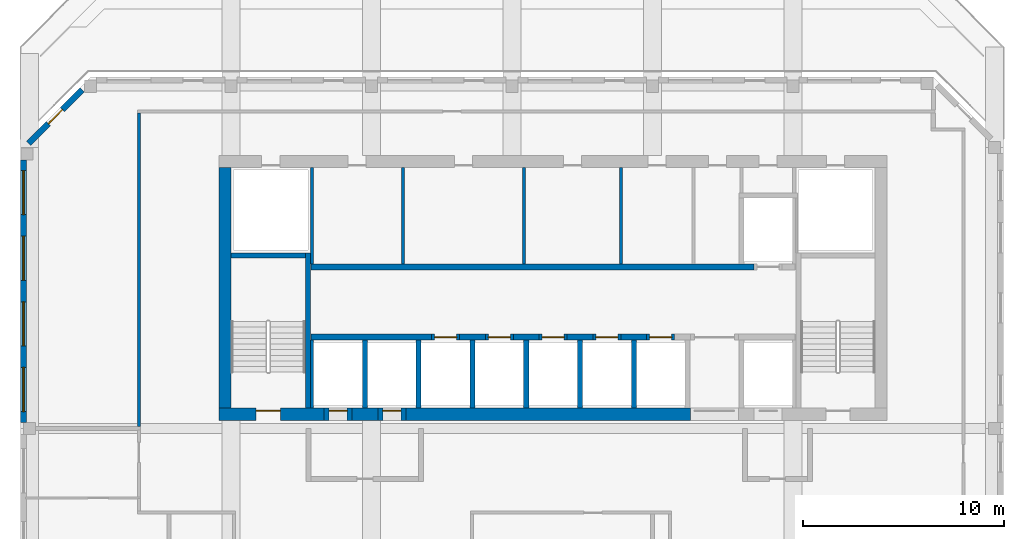
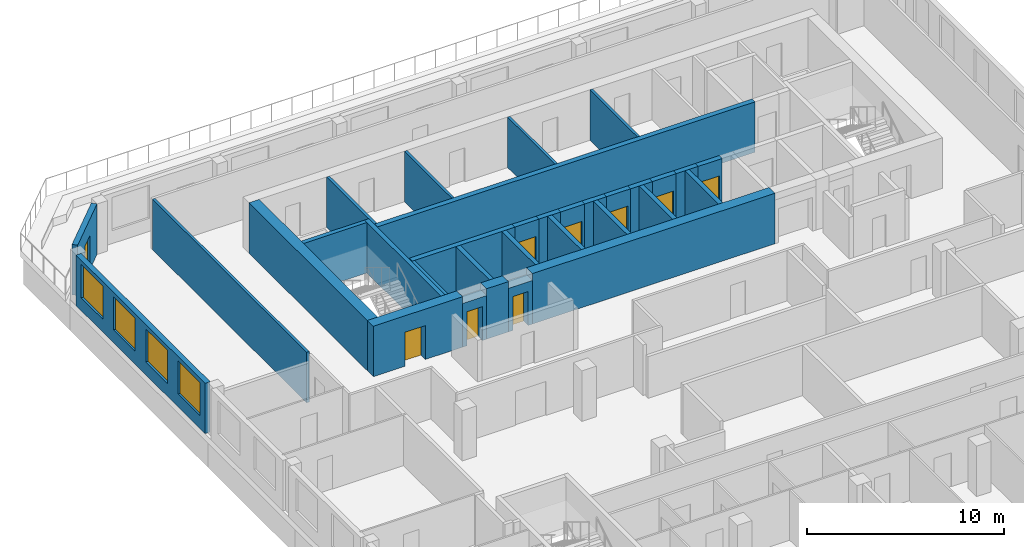
# One storey, part 6 of 12: 33 walls, 9 doors, 4 windows, 13 openings.
"""IFC4 building model written with IfcOpenShell, lengths in metres."""

from ifc_helpers import new_model, si_unit, direction, frame, frame_2d, origin, place, context, subcontext, project, spatial, rectangle, extrude, source, transform, mapped, material, layer, layer_set, type_object, element, fill, save


model = new_model("IFC4")

# Units and contexts
model_context = context("Model", 3, precision=1e-05, world=origin(), true_north=direction((0.0, 1.0)))
body_context = subcontext(model_context, "Body", "Model", "MODEL_VIEW")
ifc_project = project(units=[si_unit("LENGTHUNIT", "METRE"), si_unit("AREAUNIT", "SQUARE_METRE"), si_unit("VOLUMEUNIT", "CUBIC_METRE"), si_unit("PLANEANGLEUNIT", "RADIAN"), si_unit("MASSUNIT", "GRAM", prefix="KILO")], contexts=[model_context])

# Site, building, storey
site_placement = place(None, origin())
site = spatial("IfcSite", under=ifc_project, at=site_placement, CompositionType="ELEMENT")
building_placement = place(site_placement, origin())
building = spatial("IfcBuilding", under=site, at=building_placement, Name="Kilnfold Tower and Market Hall", CompositionType="ELEMENT")
storey_placement = place(building_placement, frame((0.0, 0.0, 295.0)))
storey = spatial("IfcBuildingStorey", under=building, at=storey_placement, Name="L73", CompositionType="ELEMENT", Elevation=295.0)

# Walls
ifc_material_1 = material(Name="Gypsum board on steel studs", Category="steel")
ifc_layer_1 = layer(ifc_material_1, 0.14990234375)
ifc_layer_set_1 = layer_set([ifc_layer_1], Name="Gypsum board on steel studs")
wall_type_1 = type_object("IfcWallType", Name="WALL CORRIDOR 150", PredefinedType="PARTITIONING", material=ifc_layer_set_1)
wall_1_placement = place(storey_placement, frame((-19.60009765625, 8.090087890625, 0.0), z_axis=(0.0, 0.0, 1.0), x_axis=(0.0, 1.0, 0.0)))
element("IfcWall", 1, at=wall_1_placement, inside=storey, type_object=wall_type_1, Name="Partition LY45.7", PredefinedType="PARTITIONING", context=body_context, shape_type="SweptSolid", body=[
    extrude(rectangle(XDim=15.635009765625, YDim=0.14990234375, at=frame_2d((7.8173828125, 0.0))), origin(), (0.0, 0.0, 1.0), 3.1201171875),
])
ifc_material_2 = material(Name="Concrete C50", Category="concrete")
ifc_layer_2 = layer(ifc_material_2, 0.25)
ifc_layer_set_2 = layer_set([ifc_layer_2], Name="Concrete C50")
wall_type_2 = type_object("IfcWallType", Name="CORE WALL 250 C50", PredefinedType="SHEAR", material=ifc_layer_set_2)
shared_shape_1 = source(origin(), body_context, "Body", "SweptSolid", [
    extrude(rectangle(XDim=7.75, YDim=0.25, at=frame_2d((3.875, 0.0))), origin(), (0.0, 0.0, 1.0), 3.1201171875),
])
wall_2_placement = place(storey_placement, frame((-11.175048828125, 9.0, 0.0), z_axis=(0.0, 0.0, 1.0), x_axis=(0.0, 1.0, 0.0)))
element("IfcWall", 2, at=wall_2_placement, inside=storey, type_object=wall_type_2, Name="Stair enclosure ST1", PredefinedType="SHEAR", context=body_context, shape_type="MappedRepresentation", body=[
    mapped(shared_shape_1, transform((0.0, 0.0, 0.0))),
])
shared_shape_2 = source(origin(), body_context, "Body", "SweptSolid", [
    extrude(rectangle(XDim=3.699951171875, YDim=0.25, at=frame_2d((1.85009765625, 0.0))), origin(), (0.0, 0.0, 1.0), 3.1201171875),
])
wall_3_placement = place(storey_placement, frame((-15.0, 16.625, 0.0), z_axis=(0.0, 0.0, 1.0), x_axis=(1.0, 0.0, 0.0)))
element("IfcWall", 3, at=wall_3_placement, inside=storey, type_object=wall_type_2, Name="Stair enclosure ST1", PredefinedType="SHEAR", context=body_context, shape_type="MappedRepresentation", body=[
    mapped(shared_shape_2, transform((0.0, 0.0, 0.0))),
])
ifc_material_3 = material(Name="Concrete C50", Category="concrete")
ifc_layer_3 = layer(ifc_material_3, 0.300048828125)
ifc_layer_set_3 = layer_set([ifc_layer_3], Name="Concrete C50")
wall_type_3 = type_object("IfcWallType", Name="CORE WALL 300 C50", PredefinedType="SHEAR", material=ifc_layer_set_3)
shared_shape_3 = source(origin(), body_context, "Body", "SweptSolid", [
    extrude(rectangle(XDim=6.0, YDim=0.300048828125, at=frame_2d((3.0, 0.0))), origin(), (0.0, 0.0, 1.0), 3.1201171875),
])
wall_4_placement = place(storey_placement, frame((-11.010009765625, 12.550048828125, 0.0), z_axis=(0.0, 0.0, 1.0), x_axis=(1.0, 0.0, 0.0)))
element("IfcWall", 4, at=wall_4_placement, inside=storey, type_object=wall_type_3, Name="Core spine wall", PredefinedType="SHEAR", context=body_context, shape_type="MappedRepresentation", body=[
    mapped(shared_shape_3, transform((0.0, 0.0, 0.0))),
])
shared_shape_4 = source(origin(), body_context, "Body", "SweptSolid", [
    extrude(rectangle(XDim=1.280029296875, YDim=0.300048828125, at=frame_2d((0.64013671875, 0.0))), origin(), (0.0, 0.0, 1.0), 3.1201171875),
])
for number, where, z_axis, x_axis, name in (
    (5, (-3.610107421875, 12.550048828125, 0.0), (0.0, 0.0, 1.0), (1.0, 0.0, 0.0), "Core spine wall"),
    (6, (-0.929931640625, 12.550048828125, 0.0), (0.0, 0.0, 1.0), (1.0, 0.0, 0.0), "Core spine wall"),
    (7, (1.75, 12.550048828125, 0.0), (0.0, 0.0, 1.0), (1.0, 0.0, 0.0), "Core spine wall"),
    (8, (4.429931640625, 12.550048828125, 0.0), (0.0, 0.0, 1.0), (1.0, 0.0, 0.0), "Core spine wall"),
):
    element("IfcWall", number, at=place(storey_placement, frame(where, z_axis=z_axis, x_axis=x_axis)), inside=storey, type_object=wall_type_3, Name=name, PredefinedType="SHEAR", context=body_context, shape_type="MappedRepresentation", body=[
        mapped(shared_shape_4, transform((0.0, 0.0, 0.0))),
    ])
shared_shape_5 = source(origin(), body_context, "Body", "SweptSolid", [
    extrude(rectangle(XDim=22.080078125, YDim=0.300048828125, at=frame_2d((11.0400390625, 0.0))), origin(), (0.0, 0.0, 1.0), 3.1201171875),
])
wall_5_placement = place(storey_placement, frame((-11.010009765625, 16.050048828125, 0.0), z_axis=(0.0, 0.0, 1.0), x_axis=(1.0, 0.0, 0.0)))
element("IfcWall", 9, at=wall_5_placement, inside=storey, type_object=wall_type_3, Name="Core spine wall", PredefinedType="SHEAR", context=body_context, shape_type="MappedRepresentation", body=[
    mapped(shared_shape_5, transform((0.0, 0.0, 0.0))),
])

# Wall, opening, door
ifc_material_4 = material(Name="Concrete C50", Category="concrete")
ifc_layer_4 = layer(ifc_material_4, 0.60009765625)
ifc_layer_set_4 = layer_set([ifc_layer_4], Name="Concrete C50")
wall_type_4 = type_object("IfcWallType", Name="CORE WALL 600 C50", PredefinedType="SHEAR", material=ifc_layer_set_4)
shared_shape_6 = source(origin(), body_context, "Body", "SweptSolid", [
    extrude(rectangle(XDim=5.22998046875, YDim=0.60009765625, at=frame_2d((2.614990234375, 0.0))), origin(), (0.0, 0.0, 1.0), 3.1201171875),
])
wall_6_placement = place(storey_placement, frame((-15.60009765625, 8.699951171875, 0.0), z_axis=(0.0, 0.0, 1.0), x_axis=(1.0, 0.0, 0.0)))
wall_6 = element("IfcWall", 10, at=wall_6_placement, inside=storey, type_object=wall_type_4, Name="Core outer wall south", PredefinedType="SHEAR", context=body_context, shape_type="MappedRepresentation", body=[
    mapped(shared_shape_6, transform((0.0, 0.0, 0.0))),
])
opening_1_placement = place(wall_6_placement, frame((1.85009765625, 0.0, 0.0)))
opening_1 = element("IfcOpeningElement", 11, at=opening_1_placement, cuts=wall_6, Name="Opening SD1", PredefinedType="OPENING", context=body_context, shape_type="SweptSolid", body=[
    extrude(rectangle(XDim=1.199951171875, YDim=2.10009765625, at=frame_2d((0.60009765625, 1.050048828125))), frame((0.0, 0.31005859375, 0.0), z_axis=(0.0, -1.0, 0.0), x_axis=(1.0, 0.0, 0.0)), (0.0, 0.0, 1.0), 0.6201171875),
])
ifc_material_5 = material(Name="Steel door set with fire-resisting leaf", Category="steel")
door_type_1 = type_object("IfcDoorType", Name="STAIR FLOOR DOOR 1200X2100", OperationType="NOTDEFINED", PredefinedType="DOOR", material=ifc_material_5)
door_1_placement = place(opening_1_placement, origin())
door_1 = element("IfcDoor", 12, at=door_1_placement, inside=storey, type_object=door_type_1, Name="Exit stair ST1 door", OperationType="DOUBLE_DOOR_SINGLE_SWING", OverallHeight=2.10009765625, OverallWidth=1.199951171875, PredefinedType="DOOR", context=body_context, shape_type="SweptSolid", body=[
    extrude(rectangle(XDim=1.199951171875, YDim=2.10009765625, at=frame_2d((0.60009765625, 1.050048828125))), frame((0.0, 0.205078125, 0.0), z_axis=(0.0, -1.0, 0.0), x_axis=(1.0, 0.0, 0.0)), (0.0, 0.0, 1.0), 0.050048828125),
])
fill(opening_1, door_1)

# Walls
shared_shape_7 = source(origin(), body_context, "Body", "SweptSolid", [
    extrude(rectangle(XDim=1.280029296875, YDim=0.60009765625, at=frame_2d((0.64013671875, 0.0))), origin(), (0.0, 0.0, 1.0), 3.1201171875),
])
wall_7_placement = place(storey_placement, frame((-8.969970703125, 8.699951171875, 0.0), z_axis=(0.0, 0.0, 1.0), x_axis=(1.0, 0.0, 0.0)))
element("IfcWall", 13, at=wall_7_placement, inside=storey, type_object=wall_type_4, Name="Core outer wall south", PredefinedType="SHEAR", context=body_context, shape_type="MappedRepresentation", body=[
    mapped(shared_shape_7, transform((0.0, 0.0, 0.0))),
])
shared_shape_8 = source(origin(), body_context, "Body", "SweptSolid", [
    extrude(rectangle(XDim=14.179931640625, YDim=0.60009765625, at=frame_2d((7.08984375, 0.0))), origin(), (0.0, 0.0, 1.0), 3.1201171875),
])
wall_8_placement = place(storey_placement, frame((-6.2900390625, 8.699951171875, 0.0), z_axis=(0.0, 0.0, 1.0), x_axis=(1.0, 0.0, 0.0)))
element("IfcWall", 14, at=wall_8_placement, inside=storey, type_object=wall_type_4, Name="Core outer wall south", PredefinedType="SHEAR", context=body_context, shape_type="MappedRepresentation", body=[
    mapped(shared_shape_8, transform((0.0, 0.0, 0.0))),
])
shared_shape_9 = source(origin(), body_context, "Body", "SweptSolid", [
    extrude(rectangle(XDim=12.0, YDim=0.60009765625, at=frame_2d((6.0, 0.0))), origin(), (0.0, 0.0, 1.0), 3.1201171875),
])
wall_9_placement = place(storey_placement, frame((-15.300048828125, 9.0, 0.0), z_axis=(0.0, 0.0, 1.0), x_axis=(0.0, 1.0, 0.0)))
element("IfcWall", 15, at=wall_9_placement, inside=storey, type_object=wall_type_4, Name="Core outer wall west", PredefinedType="SHEAR", context=body_context, shape_type="MappedRepresentation", body=[
    mapped(shared_shape_9, transform((0.0, 0.0, 0.0))),
])

# Wall, opening, door
ifc_material_6 = material(Name="Precast concrete C50/60", Category="concrete")
ifc_layer_5 = layer(ifc_material_6, 0.300048828125)
ifc_layer_set_5 = layer_set([ifc_layer_5], Name="Precast concrete C50/60")
wall_type_5 = type_object("IfcWallType", Name="PRECAST WALL 300", PredefinedType="SOLIDWALL", material=ifc_layer_set_5)
shared_shape_10 = source(origin(), body_context, "Body", "SweptSolid", [
    extrude(rectangle(XDim=3.783203125, YDim=0.300048828125, at=frame_2d((1.8916015625, 0.0))), origin(), (0.0, 0.0, 1.0), 3.1201171875),
])
wall_10_placement = place(storey_placement, frame((-22.4189453125, 24.868896484375, 0.0), z_axis=(0.0, 0.0, 1.0), x_axis=(-0.707106781187, -0.707106781187, 0.0)))
wall_10 = element("IfcWall", 16, at=wall_10_placement, inside=storey, type_object=wall_type_5, Name="External wall L73 NW", PredefinedType="SOLIDWALL", context=body_context, shape_type="MappedRepresentation", body=[
    mapped(shared_shape_10, transform((0.0, 0.0, 0.0))),
])
opening_2_placement = place(wall_10_placement, frame((1.3916015625, 0.0, 0.0)))
opening_2 = element("IfcOpeningElement", 17, at=opening_2_placement, cuts=wall_10, Name="Opening BD1", PredefinedType="OPENING", context=body_context, shape_type="SweptSolid", body=[
    extrude(rectangle(XDim=1.0, YDim=2.10009765625, at=frame_2d((0.5, 1.050048828125))), frame((0.0, 0.16015625, 0.0), z_axis=(0.0, -1.0, 0.0), x_axis=(1.0, 0.0, 0.0)), (0.0, 0.0, 1.0), 0.320068359375),
])
ifc_material_7 = material(Name="Aluminium frame and double glazing", Category="aluminium")
door_type_2 = type_object("IfcDoorType", Name="BALCONY DOOR 1000X2100", OperationType="NOTDEFINED", PredefinedType="DOOR", material=ifc_material_7)
door_2_placement = place(opening_2_placement, origin())
door_2 = element("IfcDoor", 18, at=door_2_placement, inside=storey, type_object=door_type_2, Name="Balcony door BD1 L73 NW-1", OperationType="SINGLE_SWING_LEFT", OverallHeight=2.10009765625, OverallWidth=1.0, PredefinedType="DOOR", context=body_context, shape_type="SweptSolid", body=[
    extrude(rectangle(XDim=1.0, YDim=2.10009765625, at=frame_2d((0.5, 1.050048828125))), frame((0.0, 0.02490234375, 0.0), z_axis=(0.0, -1.0, 0.0), x_axis=(1.0, 0.0, 0.0)), (0.0, 0.0, 1.0), 0.050048828125),
])
fill(opening_2, door_2)

# Wall, openings, windows
shared_shape_11 = source(origin(), body_context, "Body", "SweptSolid", [
    extrude(rectangle(XDim=13.081787109375, YDim=0.300048828125, at=frame_2d((6.541015625, 0.0))), origin(), (0.0, 0.0, 1.0), 3.1201171875),
])
wall_11_placement = place(storey_placement, frame((-25.35009765625, 21.3818359375, 0.0), z_axis=(0.0, 0.0, 1.0), x_axis=(0.0, -1.0, 0.0)))
wall_11 = element("IfcWall", 19, at=wall_11_placement, inside=storey, type_object=wall_type_5, Name="External wall L73 W", PredefinedType="SOLIDWALL", context=body_context, shape_type="MappedRepresentation", body=[
    mapped(shared_shape_11, transform((0.0, 0.0, 0.0))),
])
opening_3_placement = place(wall_11_placement, frame((0.53515625, 0.0, 0.800048828125)))
opening_3 = element("IfcOpeningElement", 20, at=opening_3_placement, cuts=wall_11, Name="Opening W3", PredefinedType="OPENING", context=body_context, shape_type="SweptSolid", body=[
    extrude(rectangle(XDim=2.199951171875, YDim=2.050048828125, at=frame_2d((1.10009765625, 1.02490234375))), frame((0.0, 0.16015625, 0.0), z_axis=(0.0, -1.0, 0.0), x_axis=(1.0, 0.0, 0.0)), (0.0, 0.0, 1.0), 0.320068359375),
])
opening_4_placement = place(wall_11_placement, frame((3.8056640625, 0.0, 0.800048828125)))
opening_4 = element("IfcOpeningElement", 21, at=opening_4_placement, cuts=wall_11, Name="Opening W3", PredefinedType="OPENING", context=body_context, shape_type="SweptSolid", body=[
    extrude(rectangle(XDim=2.199951171875, YDim=2.050048828125, at=frame_2d((1.10009765625, 1.02490234375))), frame((0.0, 0.16015625, 0.0), z_axis=(0.0, -1.0, 0.0), x_axis=(1.0, 0.0, 0.0)), (0.0, 0.0, 1.0), 0.320068359375),
])
opening_5_placement = place(wall_11_placement, frame((7.076171875, 0.0, 0.800048828125)))
opening_5 = element("IfcOpeningElement", 22, at=opening_5_placement, cuts=wall_11, Name="Opening W3", PredefinedType="OPENING", context=body_context, shape_type="SweptSolid", body=[
    extrude(rectangle(XDim=2.199951171875, YDim=2.050048828125, at=frame_2d((1.10009765625, 1.02490234375))), frame((0.0, 0.16015625, 0.0), z_axis=(0.0, -1.0, 0.0), x_axis=(1.0, 0.0, 0.0)), (0.0, 0.0, 1.0), 0.320068359375),
])
opening_6_placement = place(wall_11_placement, frame((10.3466796875, 0.0, 0.800048828125)))
opening_6 = element("IfcOpeningElement", 23, at=opening_6_placement, cuts=wall_11, Name="Opening W3", PredefinedType="OPENING", context=body_context, shape_type="SweptSolid", body=[
    extrude(rectangle(XDim=2.199951171875, YDim=2.050048828125, at=frame_2d((1.10009765625, 1.02490234375))), frame((0.0, 0.16015625, 0.0), z_axis=(0.0, -1.0, 0.0), x_axis=(1.0, 0.0, 0.0)), (0.0, 0.0, 1.0), 0.320068359375),
])
ifc_material_8 = material(Name="Aluminium frame and double glazing", Category="aluminium")
window_type = type_object("IfcWindowType", Name="WINDOW W3 2200X2050", PartitioningType="SINGLE_PANEL", PredefinedType="WINDOW", material=ifc_material_8)
window_1_placement = place(opening_3_placement, origin())
window_1 = element("IfcWindow", 24, at=window_1_placement, inside=storey, type_object=window_type, Name="Window W3 L73 W-1", OverallHeight=2.050048828125, OverallWidth=2.199951171875, PartitioningType="SINGLE_PANEL", PredefinedType="WINDOW", context=body_context, shape_type="SweptSolid", body=[
    extrude(rectangle(XDim=2.199951171875, YDim=2.050048828125, at=frame_2d((1.10009765625, 1.02490234375))), frame((0.0, 0.030029296875, 0.0), z_axis=(0.0, -1.0, 0.0), x_axis=(1.0, 0.0, 0.0)), (0.0, 0.0, 1.0), 0.06005859375),
])
fill(opening_3, window_1)
window_2_placement = place(opening_4_placement, origin())
window_2 = element("IfcWindow", 25, at=window_2_placement, inside=storey, type_object=window_type, Name="Window W3 L73 W-2", OverallHeight=2.050048828125, OverallWidth=2.199951171875, PartitioningType="SINGLE_PANEL", PredefinedType="WINDOW", context=body_context, shape_type="SweptSolid", body=[
    extrude(rectangle(XDim=2.199951171875, YDim=2.050048828125, at=frame_2d((1.10009765625, 1.02490234375))), frame((0.0, 0.030029296875, 0.0), z_axis=(0.0, -1.0, 0.0), x_axis=(1.0, 0.0, 0.0)), (0.0, 0.0, 1.0), 0.06005859375),
])
fill(opening_4, window_2)
window_3_placement = place(opening_5_placement, origin())
window_3 = element("IfcWindow", 26, at=window_3_placement, inside=storey, type_object=window_type, Name="Window W3 L73 W-3", OverallHeight=2.050048828125, OverallWidth=2.199951171875, PartitioningType="SINGLE_PANEL", PredefinedType="WINDOW", context=body_context, shape_type="SweptSolid", body=[
    extrude(rectangle(XDim=2.199951171875, YDim=2.050048828125, at=frame_2d((1.10009765625, 1.02490234375))), frame((0.0, 0.030029296875, 0.0), z_axis=(0.0, -1.0, 0.0), x_axis=(1.0, 0.0, 0.0)), (0.0, 0.0, 1.0), 0.06005859375),
])
fill(opening_5, window_3)
window_4_placement = place(opening_6_placement, origin())
window_4 = element("IfcWindow", 27, at=window_4_placement, inside=storey, type_object=window_type, Name="Window W3 L73 W-4", OverallHeight=2.050048828125, OverallWidth=2.199951171875, PartitioningType="SINGLE_PANEL", PredefinedType="WINDOW", context=body_context, shape_type="SweptSolid", body=[
    extrude(rectangle(XDim=2.199951171875, YDim=2.050048828125, at=frame_2d((1.10009765625, 1.02490234375))), frame((0.0, 0.030029296875, 0.0), z_axis=(0.0, -1.0, 0.0), x_axis=(1.0, 0.0, 0.0)), (0.0, 0.0, 1.0), 0.06005859375),
])
fill(opening_6, window_4)

# Wall, opening, door
ifc_material_9 = material(Name="Gypsum shaft wall system")
ifc_layer_6 = layer(ifc_material_9, 0.300048828125)
ifc_layer_set_6 = layer_set([ifc_layer_6], Name="Gypsum shaft wall system")
wall_type_6 = type_object("IfcWallType", Name="SHAFT WALL 300", PredefinedType="PARTITIONING", material=ifc_layer_set_6)
shared_shape_12 = source(origin(), body_context, "Body", "SweptSolid", [
    extrude(rectangle(XDim=1.39990234375, YDim=0.300048828125, at=frame_2d((0.699951171875, 0.0))), origin(), (0.0, 0.0, 1.0), 3.1201171875),
])
wall_12_placement = place(storey_placement, frame((-5.010009765625, 12.550048828125, 0.0), z_axis=(0.0, 0.0, 1.0), x_axis=(1.0, 0.0, 0.0)))
wall_12 = element("IfcWall", 28, at=wall_12_placement, inside=storey, type_object=wall_type_6, Name="Lift shaft front wall", PredefinedType="PARTITIONING", context=body_context, shape_type="MappedRepresentation", body=[
    mapped(shared_shape_12, transform((0.0, 0.0, 0.0))),
])
opening_7_placement = place(wall_12_placement, frame((0.14990234375, 0.0, 0.0)))
opening_7 = element("IfcOpeningElement", 29, at=opening_7_placement, cuts=wall_12, Name="Opening LD2", PredefinedType="OPENING", context=body_context, shape_type="SweptSolid", body=[
    extrude(rectangle(XDim=1.10009765625, YDim=2.10009765625, at=frame_2d((0.550048828125, 1.050048828125))), frame((0.0, 0.16015625, 0.0), z_axis=(0.0, -1.0, 0.0), x_axis=(1.0, 0.0, 0.0)), (0.0, 0.0, 1.0), 0.320068359375),
])
ifc_material_10 = material(Name="Steel door set with fire-resisting leaf", Category="steel")
door_type_3 = type_object("IfcDoorType", Name="LANDING DOOR 1100X2100", OperationType="NOTDEFINED", PredefinedType="DOOR", material=ifc_material_10)
door_3_placement = place(opening_7_placement, origin())
door_3 = element("IfcDoor", 30, at=door_3_placement, inside=storey, type_object=door_type_3, Name="Landing door HR1", OperationType="DOUBLE_DOOR_SLIDING", OverallHeight=2.10009765625, OverallWidth=1.10009765625, PredefinedType="DOOR", context=body_context, shape_type="SweptSolid", body=[
    extrude(rectangle(XDim=1.10009765625, YDim=2.10009765625, at=frame_2d((0.550048828125, 1.050048828125))), frame((0.0, 0.02490234375, 0.0), z_axis=(0.0, -1.0, 0.0), x_axis=(1.0, 0.0, 0.0)), (0.0, 0.0, 1.0), 0.050048828125),
])
fill(opening_7, door_3)

wall_13_placement = place(storey_placement, frame((0.35009765625, 12.550048828125, 0.0), z_axis=(0.0, 0.0, 1.0), x_axis=(1.0, 0.0, 0.0)))
wall_13 = element("IfcWall", 31, at=wall_13_placement, inside=storey, type_object=wall_type_6, Name="Lift shaft front wall", PredefinedType="PARTITIONING", context=body_context, shape_type="MappedRepresentation", body=[
    mapped(shared_shape_12, transform((0.0, 0.0, 0.0))),
])
opening_8_placement = place(wall_13_placement, frame((0.14990234375, 0.0, 0.0)))
opening_8 = element("IfcOpeningElement", 32, at=opening_8_placement, cuts=wall_13, Name="Opening LD2", PredefinedType="OPENING", context=body_context, shape_type="SweptSolid", body=[
    extrude(rectangle(XDim=1.10009765625, YDim=2.10009765625, at=frame_2d((0.550048828125, 1.050048828125))), frame((0.0, 0.16015625, 0.0), z_axis=(0.0, -1.0, 0.0), x_axis=(1.0, 0.0, 0.0)), (0.0, 0.0, 1.0), 0.320068359375),
])
door_4_placement = place(opening_8_placement, origin())
door_4 = element("IfcDoor", 33, at=door_4_placement, inside=storey, type_object=door_type_3, Name="Landing door HR3", OperationType="DOUBLE_DOOR_SLIDING", OverallHeight=2.10009765625, OverallWidth=1.10009765625, PredefinedType="DOOR", context=body_context, shape_type="SweptSolid", body=[
    extrude(rectangle(XDim=1.10009765625, YDim=2.10009765625, at=frame_2d((0.550048828125, 1.050048828125))), frame((0.0, 0.02490234375, 0.0), z_axis=(0.0, -1.0, 0.0), x_axis=(1.0, 0.0, 0.0)), (0.0, 0.0, 1.0), 0.050048828125),
])
fill(opening_8, door_4)

wall_14_placement = place(storey_placement, frame((3.030029296875, 12.550048828125, 0.0), z_axis=(0.0, 0.0, 1.0), x_axis=(1.0, 0.0, 0.0)))
wall_14 = element("IfcWall", 34, at=wall_14_placement, inside=storey, type_object=wall_type_6, Name="Lift shaft front wall", PredefinedType="PARTITIONING", context=body_context, shape_type="MappedRepresentation", body=[
    mapped(shared_shape_12, transform((0.0, 0.0, 0.0))),
])
opening_9_placement = place(wall_14_placement, frame((0.14990234375, 0.0, 0.0)))
opening_9 = element("IfcOpeningElement", 35, at=opening_9_placement, cuts=wall_14, Name="Opening LD2", PredefinedType="OPENING", context=body_context, shape_type="SweptSolid", body=[
    extrude(rectangle(XDim=1.10009765625, YDim=2.10009765625, at=frame_2d((0.550048828125, 1.050048828125))), frame((0.0, 0.16015625, 0.0), z_axis=(0.0, -1.0, 0.0), x_axis=(1.0, 0.0, 0.0)), (0.0, 0.0, 1.0), 0.320068359375),
])
door_5_placement = place(opening_9_placement, origin())
door_5 = element("IfcDoor", 36, at=door_5_placement, inside=storey, type_object=door_type_3, Name="Landing door HR4", OperationType="DOUBLE_DOOR_SLIDING", OverallHeight=2.10009765625, OverallWidth=1.10009765625, PredefinedType="DOOR", context=body_context, shape_type="SweptSolid", body=[
    extrude(rectangle(XDim=1.10009765625, YDim=2.10009765625, at=frame_2d((0.550048828125, 1.050048828125))), frame((0.0, 0.02490234375, 0.0), z_axis=(0.0, -1.0, 0.0), x_axis=(1.0, 0.0, 0.0)), (0.0, 0.0, 1.0), 0.050048828125),
])
fill(opening_9, door_5)

shared_shape_13 = source(origin(), body_context, "Body", "SweptSolid", [
    extrude(rectangle(XDim=1.400146484375, YDim=0.300048828125, at=frame_2d((0.7001953125, 0.0))), origin(), (0.0, 0.0, 1.0), 3.1201171875),
])
wall_15_placement = place(storey_placement, frame((-2.330078125, 12.550048828125, 0.0), z_axis=(0.0, 0.0, 1.0), x_axis=(1.0, 0.0, 0.0)))
wall_15 = element("IfcWall", 37, at=wall_15_placement, inside=storey, type_object=wall_type_6, Name="Lift shaft front wall", PredefinedType="PARTITIONING", context=body_context, shape_type="MappedRepresentation", body=[
    mapped(shared_shape_13, transform((0.0, 0.0, 0.0))),
])
opening_10_placement = place(wall_15_placement, frame((0.14990234375, 0.0, 0.0)))
opening_10 = element("IfcOpeningElement", 38, at=opening_10_placement, cuts=wall_15, Name="Opening LD2", PredefinedType="OPENING", context=body_context, shape_type="SweptSolid", body=[
    extrude(rectangle(XDim=1.10009765625, YDim=2.10009765625, at=frame_2d((0.550048828125, 1.050048828125))), frame((0.0, 0.16015625, 0.0), z_axis=(0.0, -1.0, 0.0), x_axis=(1.0, 0.0, 0.0)), (0.0, 0.0, 1.0), 0.320068359375),
])
door_6_placement = place(opening_10_placement, origin())
door_6 = element("IfcDoor", 39, at=door_6_placement, inside=storey, type_object=door_type_3, Name="Landing door HR2", OperationType="DOUBLE_DOOR_SLIDING", OverallHeight=2.10009765625, OverallWidth=1.10009765625, PredefinedType="DOOR", context=body_context, shape_type="SweptSolid", body=[
    extrude(rectangle(XDim=1.10009765625, YDim=2.10009765625, at=frame_2d((0.550048828125, 1.050048828125))), frame((0.0, 0.02490234375, 0.0), z_axis=(0.0, -1.0, 0.0), x_axis=(1.0, 0.0, 0.0)), (0.0, 0.0, 1.0), 0.050048828125),
])
fill(opening_10, door_6)

wall_16_placement = place(storey_placement, frame((5.7099609375, 12.550048828125, 0.0), z_axis=(0.0, 0.0, 1.0), x_axis=(1.0, 0.0, 0.0)))
wall_16 = element("IfcWall", 40, at=wall_16_placement, inside=storey, type_object=wall_type_6, Name="Lift shaft front wall", PredefinedType="PARTITIONING", context=body_context, shape_type="MappedRepresentation", body=[
    mapped(shared_shape_13, transform((0.0, 0.0, 0.0))),
])
opening_11_placement = place(wall_16_placement, frame((0.14990234375, 0.0, 0.0)))
opening_11 = element("IfcOpeningElement", 41, at=opening_11_placement, cuts=wall_16, Name="Opening LD2", PredefinedType="OPENING", context=body_context, shape_type="SweptSolid", body=[
    extrude(rectangle(XDim=1.10009765625, YDim=2.10009765625, at=frame_2d((0.550048828125, 1.050048828125))), frame((0.0, 0.16015625, 0.0), z_axis=(0.0, -1.0, 0.0), x_axis=(1.0, 0.0, 0.0)), (0.0, 0.0, 1.0), 0.320068359375),
])
door_7_placement = place(opening_11_placement, origin())
door_7 = element("IfcDoor", 42, at=door_7_placement, inside=storey, type_object=door_type_3, Name="Landing door HR5", OperationType="DOUBLE_DOOR_SLIDING", OverallHeight=2.10009765625, OverallWidth=1.10009765625, PredefinedType="DOOR", context=body_context, shape_type="SweptSolid", body=[
    extrude(rectangle(XDim=1.10009765625, YDim=2.10009765625, at=frame_2d((0.550048828125, 1.050048828125))), frame((0.0, 0.02490234375, 0.0), z_axis=(0.0, -1.0, 0.0), x_axis=(1.0, 0.0, 0.0)), (0.0, 0.0, 1.0), 0.050048828125),
])
fill(opening_11, door_7)

# Walls
ifc_material_11 = material(Name="Gypsum shaft wall system")
ifc_layer_7 = layer(ifc_material_11, 0.1650390625)
ifc_layer_set_7 = layer_set([ifc_layer_7], Name="Gypsum shaft wall system")
wall_type_7 = type_object("IfcWallType", Name="SHAFT WALL 165", PredefinedType="PARTITIONING", material=ifc_layer_set_7)
shared_shape_14 = source(origin(), body_context, "Body", "SweptSolid", [
    extrude(rectangle(XDim=4.800048828125, YDim=0.1650390625, at=frame_2d((2.39990234375, 0.0))), origin(), (0.0, 0.0, 1.0), 3.1201171875),
])
wall_17_placement = place(storey_placement, frame((-10.967529296875, 16.199951171875, 0.0), z_axis=(0.0, 0.0, 1.0), x_axis=(0.0, 1.0, 0.0)))
element("IfcWall", 43, at=wall_17_placement, inside=storey, type_object=wall_type_7, Name="Lift shaft wall", PredefinedType="PARTITIONING", context=body_context, shape_type="MappedRepresentation", body=[
    mapped(shared_shape_14, transform((0.0, 0.0, 0.0))),
])
ifc_material_12 = material(Name="Gypsum shaft wall system")
ifc_layer_8 = layer(ifc_material_12, 0.25)
ifc_layer_set_8 = layer_set([ifc_layer_8], Name="Gypsum shaft wall system")
wall_type_8 = type_object("IfcWallType", Name="SHAFT WALL 250", PredefinedType="PARTITIONING", material=ifc_layer_set_8)
shared_shape_15 = source(origin(), body_context, "Body", "SweptSolid", [
    extrude(rectangle(XDim=3.39990234375, YDim=0.25, at=frame_2d((1.699951171875, 0.0))), origin(), (0.0, 0.0, 1.0), 3.1201171875),
])
for number, where, z_axis, x_axis, name in (
    (44, (2.389892578125, 9.0, 0.0), (0.0, 0.0, 1.0), (0.0, 1.0, 0.0), "Lift shaft wall"),
    (45, (5.070068359375, 9.0, 0.0), (0.0, 0.0, 1.0), (0.0, 1.0, 0.0), "Lift shaft wall"),
    (46, (-0.2900390625, 9.0, 0.0), (0.0, 0.0, 1.0), (0.0, 1.0, 0.0), "Lift shaft wall"),
    (47, (-2.969970703125, 9.0, 0.0), (0.0, 0.0, 1.0), (0.0, 1.0, 0.0), "Lift shaft wall"),
    (48, (-5.64990234375, 9.0, 0.0), (0.0, 0.0, 1.0), (0.0, 1.0, 0.0), "Lift shaft wall"),
    (49, (-8.330078125, 9.0, 0.0), (0.0, 0.0, 1.0), (0.0, 1.0, 0.0), "Lift shaft wall"),
):
    element("IfcWall", number, at=place(storey_placement, frame(where, z_axis=z_axis, x_axis=x_axis)), inside=storey, type_object=wall_type_8, Name=name, PredefinedType="PARTITIONING", context=body_context, shape_type="MappedRepresentation", body=[
        mapped(shared_shape_15, transform((0.0, 0.0, 0.0))),
    ])
shared_shape_16 = source(origin(), body_context, "Body", "SweptSolid", [
    extrude(rectangle(XDim=3.39990234375, YDim=0.1650390625, at=frame_2d((1.699951171875, 0.0))), origin(), (0.0, 0.0, 1.0), 3.1201171875),
])
wall_18_placement = place(storey_placement, frame((-10.967529296875, 9.0, 0.0), z_axis=(0.0, 0.0, 1.0), x_axis=(0.0, 1.0, 0.0)))
element("IfcWall", 50, at=wall_18_placement, inside=storey, type_object=wall_type_7, Name="Lift shaft wall", PredefinedType="PARTITIONING", context=body_context, shape_type="MappedRepresentation", body=[
    mapped(shared_shape_16, transform((0.0, 0.0, 0.0))),
])
ifc_material_13 = material(Name="Gypsum shaft wall system")
ifc_layer_9 = layer(ifc_material_13, 0.14990234375)
ifc_layer_set_9 = layer_set([ifc_layer_9], Name="Gypsum shaft wall system")
wall_type_9 = type_object("IfcWallType", Name="ROOM WALL 150", PredefinedType="PARTITIONING", material=ifc_layer_set_9)
shared_shape_17 = source(origin(), body_context, "Body", "SweptSolid", [
    extrude(rectangle(XDim=4.800048828125, YDim=0.14990234375, at=frame_2d((2.39990234375, 0.0))), origin(), (0.0, 0.0, 1.0), 3.1201171875),
])
for number, where, z_axis, x_axis, name in (
    (51, (-6.42724609375, 16.199951171875, 0.0), (0.0, 0.0, 1.0), (0.0, 1.0, 0.0), "Core room wall"),
    (52, (-0.397216796875, 16.199951171875, 0.0), (0.0, 0.0, 1.0), (0.0, 1.0, 0.0), "Core room wall"),
    (53, (4.4267578125, 16.199951171875, 0.0), (0.0, 0.0, 1.0), (0.0, 1.0, 0.0), "Core room wall"),
):
    element("IfcWall", number, at=place(storey_placement, frame(where, z_axis=z_axis, x_axis=x_axis)), inside=storey, type_object=wall_type_9, Name=name, PredefinedType="PARTITIONING", context=body_context, shape_type="MappedRepresentation", body=[
        mapped(shared_shape_17, transform((0.0, 0.0, 0.0))),
    ])

# Wall, opening, door
ifc_material_14 = material(Name="Gypsum shaft wall system")
ifc_layer_10 = layer(ifc_material_14, 0.60009765625)
ifc_layer_set_10 = layer_set([ifc_layer_10], Name="Gypsum shaft wall system")
wall_type_10 = type_object("IfcWallType", Name="LOBBY WALL 600", PredefinedType="PARTITIONING", material=ifc_layer_set_10)
shared_shape_18 = source(origin(), body_context, "Body", "SweptSolid", [
    extrude(rectangle(XDim=1.400146484375, YDim=0.60009765625, at=frame_2d((0.7001953125, 0.0))), origin(), (0.0, 0.0, 1.0), 2.699951171875),
])
wall_19_placement = place(storey_placement, frame((-10.3701171875, 8.699951171875, 0.0), z_axis=(0.0, 0.0, 1.0), x_axis=(1.0, 0.0, 0.0)))
wall_19 = element("IfcWall", 54, at=wall_19_placement, inside=storey, type_object=wall_type_10, Name="Core wall infill", PredefinedType="PARTITIONING", context=body_context, shape_type="MappedRepresentation", body=[
    mapped(shared_shape_18, transform((0.0, 0.0, 0.0))),
])
opening_12_placement = place(wall_19_placement, frame((0.25, 0.0, 0.0)))
opening_12 = element("IfcOpeningElement", 55, at=opening_12_placement, cuts=wall_19, Name="Opening LD1", PredefinedType="OPENING", context=body_context, shape_type="SweptSolid", body=[
    extrude(rectangle(XDim=0.89990234375, YDim=2.10009765625, at=frame_2d((0.449951171875, 1.050048828125))), frame((0.0, 0.31005859375, 0.0), z_axis=(0.0, -1.0, 0.0), x_axis=(1.0, 0.0, 0.0)), (0.0, 0.0, 1.0), 0.6201171875),
])
ifc_material_15 = material(Name="Steel door set with fire-resisting leaf", Category="steel")
door_type_4 = type_object("IfcDoorType", Name="FIREFIGHTING LANDING DOOR 900X2100", OperationType="NOTDEFINED", PredefinedType="DOOR", material=ifc_material_15)
door_8_placement = place(opening_12_placement, origin())
door_8 = element("IfcDoor", 56, at=door_8_placement, inside=storey, type_object=door_type_4, Name="Landing door FF1", OperationType="SLIDING_TO_LEFT", OverallHeight=2.10009765625, OverallWidth=0.89990234375, PredefinedType="DOOR", context=body_context, shape_type="SweptSolid", body=[
    extrude(rectangle(XDim=0.89990234375, YDim=2.10009765625, at=frame_2d((0.449951171875, 1.050048828125))), frame((0.0, 0.205078125, 0.0), z_axis=(0.0, -1.0, 0.0), x_axis=(1.0, 0.0, 0.0)), (0.0, 0.0, 1.0), 0.050048828125),
])
fill(opening_12, door_8)

shared_shape_19 = source(origin(), body_context, "Body", "SweptSolid", [
    extrude(rectangle(XDim=1.39990234375, YDim=0.60009765625, at=frame_2d((0.699951171875, 0.0))), origin(), (0.0, 0.0, 1.0), 2.699951171875),
])
wall_20_placement = place(storey_placement, frame((-7.68994140625, 8.699951171875, 0.0), z_axis=(0.0, 0.0, 1.0), x_axis=(1.0, 0.0, 0.0)))
wall_20 = element("IfcWall", 57, at=wall_20_placement, inside=storey, type_object=wall_type_10, Name="Core wall infill", PredefinedType="PARTITIONING", context=body_context, shape_type="MappedRepresentation", body=[
    mapped(shared_shape_19, transform((0.0, 0.0, 0.0))),
])
opening_13_placement = place(wall_20_placement, frame((0.25, 0.0, 0.0)))
opening_13 = element("IfcOpeningElement", 58, at=opening_13_placement, cuts=wall_20, Name="Opening LD1", PredefinedType="OPENING", context=body_context, shape_type="SweptSolid", body=[
    extrude(rectangle(XDim=0.89990234375, YDim=2.10009765625, at=frame_2d((0.449951171875, 1.050048828125))), frame((0.0, 0.31005859375, 0.0), z_axis=(0.0, -1.0, 0.0), x_axis=(1.0, 0.0, 0.0)), (0.0, 0.0, 1.0), 0.6201171875),
])
door_9_placement = place(opening_13_placement, origin())
door_9 = element("IfcDoor", 59, at=door_9_placement, inside=storey, type_object=door_type_4, Name="Landing door FF2", OperationType="SLIDING_TO_RIGHT", OverallHeight=2.10009765625, OverallWidth=0.89990234375, PredefinedType="DOOR", context=body_context, shape_type="SweptSolid", body=[
    extrude(rectangle(XDim=0.89990234375, YDim=2.10009765625, at=frame_2d((0.449951171875, 1.050048828125))), frame((0.0, 0.205078125, 0.0), z_axis=(0.0, -1.0, 0.0), x_axis=(1.0, 0.0, 0.0)), (0.0, 0.0, 1.0), 0.050048828125),
])
fill(opening_13, door_9)

save(model, "model.ifc")
